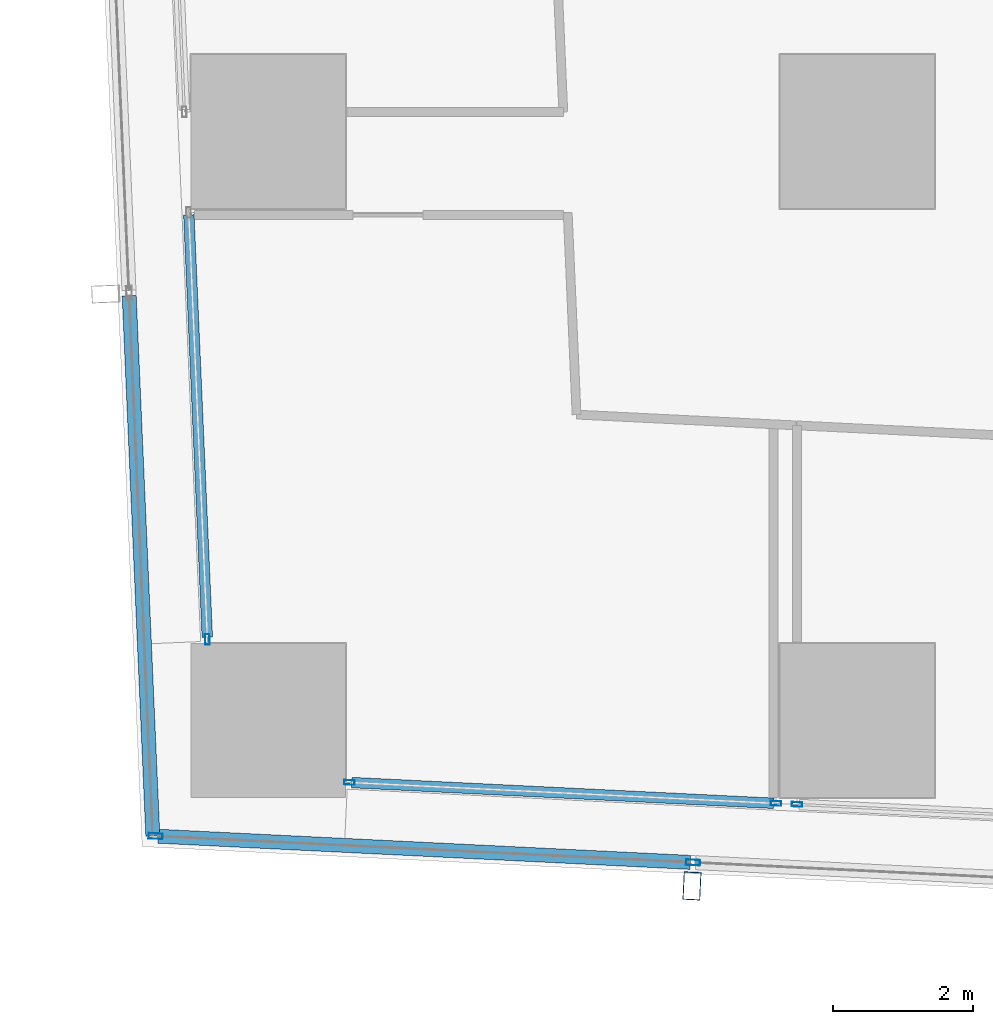
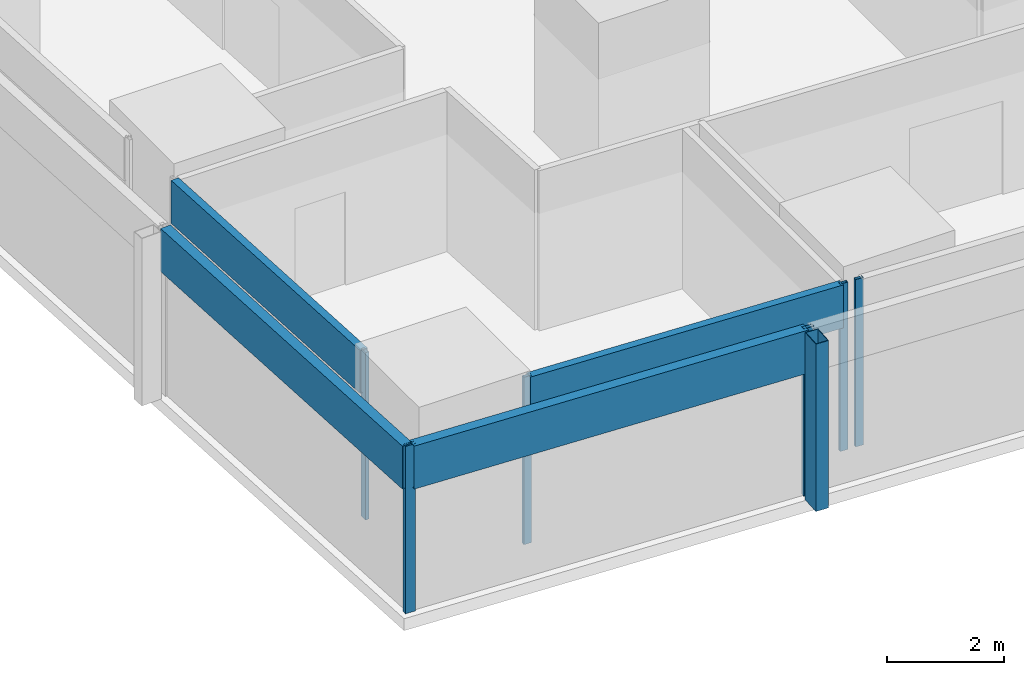
# One storey, part 2 of 44: 11 members, 5 elements without a shape of their own.
"""IFC4 building model written with IfcOpenShell, lengths in metres."""

from ifc_helpers import new_model, si_unit, direction, frame, origin, origin_2d, place, context, subcontext, project, spatial, hollow_rectangle, extrude, material, material_profile, profile_set, type_object, element, aggregate, save


model = new_model("IFC4")

# Units and contexts
model_context = context("Model", 3, precision=1e-05, world=origin(), true_north=direction((0.0, 1.0)))
body_context = subcontext(model_context, "Body", "Model", "MODEL_VIEW")
ifc_project = project(units=[si_unit("LENGTHUNIT", "METRE"), si_unit("AREAUNIT", "SQUARE_METRE"), si_unit("VOLUMEUNIT", "CUBIC_METRE"), si_unit("PLANEANGLEUNIT", "RADIAN"), si_unit("MASSUNIT", "GRAM", prefix="KILO")], contexts=[model_context])

# Site, building, storey
site_placement = place(None, origin())
site = spatial("IfcSite", under=ifc_project, at=site_placement, CompositionType="ELEMENT")
building_placement = place(site_placement, origin())
building = spatial("IfcBuilding", under=site, at=building_placement, Name="Rekha Terrace Tower", CompositionType="ELEMENT")
storey_placement = place(building_placement, frame((0.0, 0.0, 66.64990234375)))
storey = spatial("IfcBuildingStorey", under=building, at=storey_placement, Name="L16", CompositionType="ELEMENT", Elevation=66.64990234375)

# Curtain wall, member
ifc_material_1 = material(Name="Aluminium framing", Category="aluminium")
curtain_wall_type_1 = type_object("IfcCurtainWallType", Name="CW2 double skin outer glazing", PredefinedType="USERDEFINED", material=ifc_material_1)
curtain_wall_1_placement = place(storey_placement, origin())
curtain_wall_1 = element("IfcCurtainWall", 1, at=curtain_wall_1_placement, inside=storey, type_object=curtain_wall_type_1, Name="CW2 double skin outer glazing", ObjectType="DOUBLE SKIN OUTER GLAZING", PredefinedType="USERDEFINED")
ifc_material_2 = material(Name="Steel S355 with fluorocarbon finish", Category="steel")
ifc_material_profile_1 = material_profile(ifc_material_2, hollow_rectangle(XDim=0.25, YDim=0.39990234375, WallThickness=0.012451171875, at=origin_2d()), Name="RHS400x250x12.5")
ifc_profile_set_1 = profile_set([ifc_material_profile_1], Name="Steel S355 with fluorocarbon finish")
member_type_1 = type_object("IfcMemberType", Name="BL1 facade blade RHS 400 x 250", PredefinedType="USERDEFINED", material=ifc_profile_set_1)
member_1_placement = place(storey_placement, frame((14.443603515625, 6.03955078125, 0.0), z_axis=(0.0, 0.0, 1.0), x_axis=(0.998796226835, -0.049051985279, 0.0)))
member_1 = element("IfcMember", 2, at=member_1_placement, type_object=member_type_1, Name="Facade blade", ObjectType="FACADE BLADE", PredefinedType="USERDEFINED", context=body_context, shape_type="SweptSolid", body=[
    extrude(hollow_rectangle(XDim=0.25, YDim=0.39990234375, WallThickness=0.012451171875, at=origin_2d()), origin(), (0.0, 0.0, 1.0), 3.5),
])

# Curtain wall, members
curtain_wall_type_2 = type_object("IfcCurtainWallType", Name="CW1 double skin inner glazing", PredefinedType="USERDEFINED", material=ifc_material_1)
curtain_wall_2_placement = place(storey_placement, origin())
curtain_wall_2 = element("IfcCurtainWall", 3, at=curtain_wall_2_placement, inside=storey, type_object=curtain_wall_type_2, Name="CW1 double skin inner glazing", ObjectType="DOUBLE SKIN INNER GLAZING", PredefinedType="USERDEFINED")
ifc_material_3 = material(Name="Aluminium mullion section", Category="aluminium")
ifc_material_profile_2 = material_profile(ifc_material_3, hollow_rectangle(XDim=0.06494140625, YDim=0.14990234375, WallThickness=0.00390625, at=origin_2d()), Name="AL RHS 65x150")
ifc_profile_set_2 = profile_set([ifc_material_profile_2], Name="Aluminium mullion section")
member_type_2 = type_object("IfcMemberType", Name="CW1 mullion RHS 65 x 150", PredefinedType="MULLION", material=ifc_profile_set_2)
member_2_placement = place(storey_placement, frame((9.55712890625, 7.51611328125, 0.0), z_axis=(0.0, 0.0, 1.0), x_axis=(0.049051717693, 0.998796239977, 0.0)))
member_2 = element("IfcMember", 4, at=member_2_placement, type_object=member_type_2, Name="CW1 mullion 1", PredefinedType="MULLION", context=body_context, shape_type="SweptSolid", body=[
    extrude(hollow_rectangle(XDim=0.06494140625, YDim=0.14990234375, WallThickness=0.00390625, at=origin_2d()), origin(), (0.0, 0.0, 1.0), 3.5),
])
member_3_placement = place(storey_placement, frame((15.642822265625, 7.21728515625, 0.0), z_axis=(0.0, 0.0, 1.0), x_axis=(0.049051717693, 0.998796239977, 0.0)))
member_3 = element("IfcMember", 5, at=member_3_placement, type_object=member_type_2, Name="CW1 mullion 2", PredefinedType="MULLION", context=body_context, shape_type="SweptSolid", body=[
    extrude(hollow_rectangle(XDim=0.06494140625, YDim=0.14990234375, WallThickness=0.00390625, at=origin_2d()), origin(), (0.0, 0.0, 1.0), 3.5),
])

# Curtain wall, member
curtain_wall_3_placement = place(storey_placement, origin())
curtain_wall_3 = element("IfcCurtainWall", 6, at=curtain_wall_3_placement, inside=storey, type_object=curtain_wall_type_2, Name="CW1 double skin inner glazing", ObjectType="DOUBLE SKIN INNER GLAZING", PredefinedType="USERDEFINED")
member_4_placement = place(storey_placement, frame((15.94091796875, 7.20263671875, 0.0), z_axis=(0.0, 0.0, 1.0), x_axis=(0.049051717746, 0.998796239974, 0.0)))
member_4 = element("IfcMember", 7, at=member_4_placement, type_object=member_type_2, Name="CW1 mullion 1", PredefinedType="MULLION", context=body_context, shape_type="SweptSolid", body=[
    extrude(hollow_rectangle(XDim=0.06494140625, YDim=0.14990234375, WallThickness=0.00390625, at=origin_2d()), origin(), (0.0, 0.0, 1.0), 3.5),
])
aggregate(curtain_wall_3, [member_4])

curtain_wall_4_placement = place(storey_placement, origin())
curtain_wall_4 = element("IfcCurtainWall", 8, at=curtain_wall_4_placement, inside=storey, type_object=curtain_wall_type_2, Name="CW1 double skin inner glazing", ObjectType="DOUBLE SKIN INNER GLAZING", PredefinedType="USERDEFINED")
member_5_placement = place(storey_placement, frame((7.53173828125, 9.556640625, 0.0), z_axis=(0.0, 0.0, 1.0), x_axis=(0.999045462129, 0.043682543424, 0.0)))
member_5 = element("IfcMember", 9, at=member_5_placement, type_object=member_type_2, Name="CW1 mullion 2", PredefinedType="MULLION", context=body_context, shape_type="SweptSolid", body=[
    extrude(hollow_rectangle(XDim=0.06494140625, YDim=0.14990234375, WallThickness=0.00390625, at=origin_2d()), origin(), (0.0, 0.0, 1.0), 3.5),
])

# Member
ifc_material_4 = material(Name="Insulated aluminium spandrel box", Category="aluminium")
ifc_material_profile_3 = material_profile(ifc_material_4, hollow_rectangle(XDim=0.14990234375, YDim=0.89990234375, WallThickness=0.0029296875, at=origin_2d()), Name="AL SPANDREL BOX 150x900")
ifc_profile_set_3 = profile_set([ifc_material_profile_3], Name="Insulated aluminium spandrel box")
member_type_3 = type_object("IfcMemberType", Name="CW1 spandrel transom 150 x 900", PredefinedType="USERDEFINED", material=ifc_profile_set_3)
member_6_placement = place(storey_placement, frame((9.589599609375, 7.514404296875, 3.050048828125), z_axis=(0.99879648266, -0.049046775901, 0.0), x_axis=(0.049046775901, 0.99879648266, 0.0)))
member_6 = element("IfcMember", 10, at=member_6_placement, type_object=member_type_3, Name="CW1 spandrel transom 1", ObjectType="TRANSOM", PredefinedType="USERDEFINED", context=body_context, shape_type="SweptSolid", body=[
    extrude(hollow_rectangle(XDim=0.14990234375, YDim=0.89990234375, WallThickness=0.0029296875, at=origin_2d()), origin(), (0.0, 0.0, 1.0), 6.028076171875),
])

aggregate(curtain_wall_2, [member_2, member_3, member_6])

member_7_placement = place(storey_placement, frame((7.26708984375, 15.61083984375, 3.050048828125), z_axis=(0.043663972565, -0.999046273953, 0.0), x_axis=(0.999046273953, 0.043663972565, 0.0)))
member_7 = element("IfcMember", 11, at=member_7_placement, type_object=member_type_3, Name="CW1 spandrel transom 1", ObjectType="TRANSOM", PredefinedType="USERDEFINED", context=body_context, shape_type="SweptSolid", body=[
    extrude(hollow_rectangle(XDim=0.14990234375, YDim=0.89990234375, WallThickness=0.0029296875, at=origin_2d()), origin(), (0.0, 0.0, 1.0), 6.027587890625),
])

aggregate(curtain_wall_4, [member_5, member_7])

ifc_material_profile_4 = material_profile(ifc_material_3, hollow_rectangle(XDim=0.080078125, YDim=0.199951171875, WallThickness=0.00390625, at=origin_2d()), Name="AL RHS 80x200")
ifc_profile_set_4 = profile_set([ifc_material_profile_4], Name="Aluminium mullion section")
member_type_4 = type_object("IfcMemberType", Name="CW2 mullion RHS 80 x 200", PredefinedType="MULLION", material=ifc_profile_set_4)
member_8_placement = place(storey_placement, frame((6.79345703125, 6.750732421875, 0.0), z_axis=(0.0, 0.0, 1.0), x_axis=(0.049051717746, 0.998796239974, 0.0)))
member_8 = element("IfcMember", 12, at=member_8_placement, type_object=member_type_4, Name="CW2 mullion 1", PredefinedType="MULLION", context=body_context, shape_type="SweptSolid", body=[
    extrude(hollow_rectangle(XDim=0.080078125, YDim=0.199951171875, WallThickness=0.00390625, at=origin_2d()), origin(), (0.0, 0.0, 1.0), 3.5),
])

member_9_placement = place(storey_placement, frame((14.4599609375, 6.374267578125, 0.0), z_axis=(0.0, 0.0, 1.0), x_axis=(0.049051717746, 0.998796239974, 0.0)))
member_9 = element("IfcMember", 13, at=member_9_placement, type_object=member_type_4, Name="CW2 mullion 2", PredefinedType="MULLION", context=body_context, shape_type="SweptSolid", body=[
    extrude(hollow_rectangle(XDim=0.080078125, YDim=0.199951171875, WallThickness=0.00390625, at=origin_2d()), origin(), (0.0, 0.0, 1.0), 3.5),
])

ifc_material_profile_5 = material_profile(ifc_material_4, hollow_rectangle(XDim=0.199951171875, YDim=0.89990234375, WallThickness=0.0029296875, at=origin_2d()), Name="AL SPANDREL BOX 200x900")
ifc_profile_set_5 = profile_set([ifc_material_profile_5], Name="Insulated aluminium spandrel box")
member_type_5 = type_object("IfcMemberType", Name="CW2 spandrel transom 200 x 900", PredefinedType="USERDEFINED", material=ifc_profile_set_5)
member_10_placement = place(storey_placement, frame((6.83349609375, 6.748779296875, 3.050048828125), z_axis=(0.99879635036, -0.049049469996, 0.0), x_axis=(0.049049469996, 0.99879635036, 0.0)))
member_10 = element("IfcMember", 14, at=member_10_placement, type_object=member_type_5, Name="CW2 spandrel transom 1", ObjectType="TRANSOM", PredefinedType="USERDEFINED", context=body_context, shape_type="SweptSolid", body=[
    extrude(hollow_rectangle(XDim=0.199951171875, YDim=0.89990234375, WallThickness=0.0029296875, at=origin_2d()), origin(), (0.0, 0.0, 1.0), 7.595458984375),
])

aggregate(curtain_wall_1, [member_8, member_9, member_10, member_1])

# Curtain wall, member
curtain_wall_5_placement = place(storey_placement, origin())
curtain_wall_5 = element("IfcCurtainWall", 15, at=curtain_wall_5_placement, inside=storey, type_object=curtain_wall_type_1, Name="CW2 double skin outer glazing", ObjectType="DOUBLE SKIN OUTER GLAZING", PredefinedType="USERDEFINED")
member_11_placement = place(storey_placement, frame((6.41650390625, 14.45703125, 3.050048828125), z_axis=(0.043688638652, -0.999045195601, 0.0), x_axis=(0.999045195601, 0.043688638652, 0.0)))
member_11 = element("IfcMember", 16, at=member_11_placement, type_object=member_type_5, Name="CW2 spandrel transom 5", ObjectType="TRANSOM", PredefinedType="USERDEFINED", context=body_context, shape_type="SweptSolid", body=[
    extrude(hollow_rectangle(XDim=0.199951171875, YDim=0.89990234375, WallThickness=0.0029296875, at=origin_2d()), origin(), (0.0, 0.0, 1.0), 7.711669921875),
])
aggregate(curtain_wall_5, [member_11])

save(model, "model.ifc")
